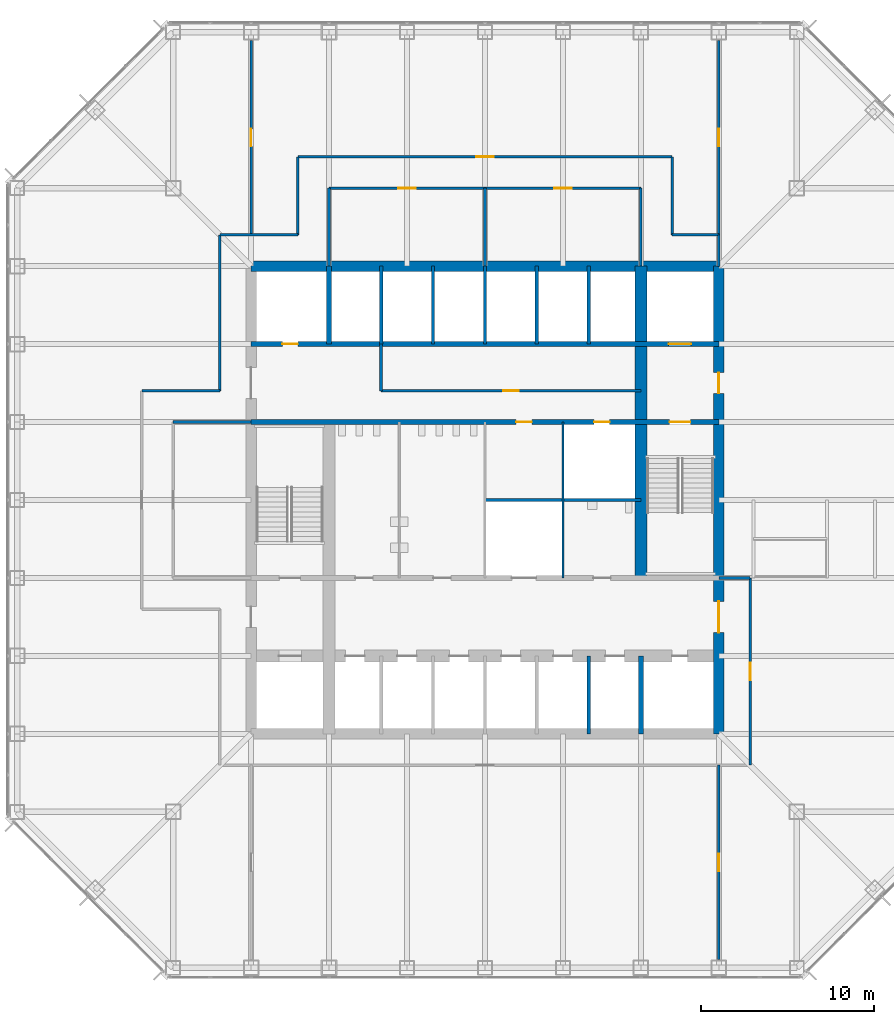
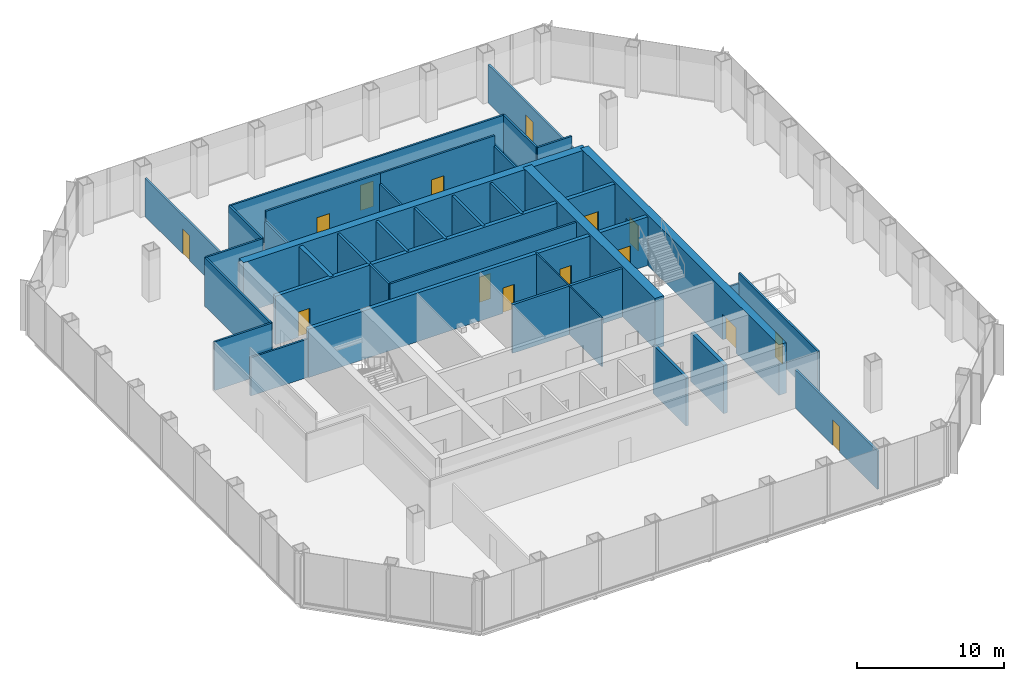
# One storey, part 9 of 12: 36 walls, 15 doors, 15 openings.
"""IFC4 building model written with IfcOpenShell, lengths in metres."""

from ifc_helpers import new_model, si_unit, direction, frame, frame_2d, origin, place, context, subcontext, project, spatial, rectangle, extrude, material, layer, layer_set, type_object, element, fill, save


model = new_model("IFC4")

# Units and contexts
model_context = context("Model", 3, precision=1e-05, world=origin(), true_north=direction((0.0, 1.0)))
body_context = subcontext(model_context, "Body", "Model", "MODEL_VIEW")
ifc_project = project(units=[si_unit("LENGTHUNIT", "METRE"), si_unit("AREAUNIT", "SQUARE_METRE"), si_unit("VOLUMEUNIT", "CUBIC_METRE"), si_unit("PLANEANGLEUNIT", "RADIAN"), si_unit("MASSUNIT", "GRAM", prefix="KILO")], contexts=[model_context])

# Site, building, storey
site_placement = place(None, origin())
site = spatial("IfcSite", under=ifc_project, at=site_placement, CompositionType="ELEMENT")
building_placement = place(site_placement, origin())
building = spatial("IfcBuilding", under=site, at=building_placement, Name="Corais Broadcast Tower", CompositionType="ELEMENT")
storey_placement = place(building_placement, frame((0.0, 0.0, 41.60009765625)))
storey = spatial("IfcBuildingStorey", under=building, at=storey_placement, Name="L08", CompositionType="ELEMENT", Elevation=41.60009765625)

# Walls
ifc_material_1 = material(Name="Concrete blockwork class A, grouted, two-hour", Category="masonry")
ifc_layer_1 = layer(ifc_material_1, 0.300048828125)
ifc_layer_set_1 = layer_set([ifc_layer_1], Name="Concrete blockwork class A, grouted, two-hour")
wall_type_1 = type_object("IfcWallType", Name="Core lobby wall 300", PredefinedType="SOLIDWALL", material=ifc_layer_set_1)
for number, where, z_axis, x_axis, name in (
    (1, (18.0, 36.0, 0.0), (0.0, 0.0, 1.0), (0.0, 1.0, 0.0), "CL1 core shaft wall X18B L08"),
    (2, (36.0, 13.5, 0.0), (0.0, 0.0, 1.0), (0.0, 1.0, 0.0), "CL1 core shaft wall X36A L08"),
):
    element("IfcWall", number, at=place(storey_placement, frame(where, z_axis=z_axis, x_axis=x_axis)), inside=storey, type_object=wall_type_1, Name=name, PredefinedType="SOLIDWALL", context=body_context, shape_type="SweptSolid", body=[
        extrude(rectangle(XDim=4.5, YDim=0.300048828125, at=frame_2d((2.25, 0.0))), origin(), (0.0, 0.0, 1.0), 4.039794921875),
    ])

# Wall, openings, doors
wall_1_placement = place(storey_placement, frame((13.5, 31.5, 0.0), z_axis=(0.0, 0.0, 1.0), x_axis=(1.0, 0.0, 0.0)))
wall_1 = element("IfcWall", 3, at=wall_1_placement, inside=storey, type_object=wall_type_1, Name="CL1 core lobby wall Y315 L08", PredefinedType="SOLIDWALL", context=body_context, shape_type="SweptSolid", body=[
    extrude(rectangle(XDim=27.0, YDim=0.300048828125, at=frame_2d((13.5, 0.0))), origin(), (0.0, 0.0, 1.0), 4.039794921875),
])
opening_1_placement = place(wall_1_placement, frame((24.14990234375, 0.0, 0.0)))
opening_1 = element("IfcOpeningElement", 4, at=opening_1_placement, cuts=wall_1, Name="Opening FD1", PredefinedType="OPENING", context=body_context, shape_type="SweptSolid", body=[
    extrude(rectangle(XDim=1.199951171875, YDim=2.10009765625, at=frame_2d((0.60009765625, 1.050048828125))), frame((0.0, 0.159912109375, 0.0), z_axis=(0.0, -1.0, 0.0), x_axis=(1.0, 0.0, 0.0)), (0.0, 0.0, 1.0), 0.320068359375),
])
opening_2_placement = place(wall_1_placement, frame((15.300048828125, 0.0, 0.0)))
opening_2 = element("IfcOpeningElement", 5, at=opening_2_placement, cuts=wall_1, Name="Opening RD1", PredefinedType="OPENING", context=body_context, shape_type="SweptSolid", body=[
    extrude(rectangle(XDim=0.89990234375, YDim=2.10009765625, at=frame_2d((0.449951171875, 1.050048828125))), frame((0.0, 0.159912109375, 0.0), z_axis=(0.0, -1.0, 0.0), x_axis=(1.0, 0.0, 0.0)), (0.0, 0.0, 1.0), 0.320068359375),
])
opening_3_placement = place(wall_1_placement, frame((19.800048828125, 0.0, 0.0)))
opening_3 = element("IfcOpeningElement", 6, at=opening_3_placement, cuts=wall_1, Name="Opening RD1", PredefinedType="OPENING", context=body_context, shape_type="SweptSolid", body=[
    extrude(rectangle(XDim=0.89990234375, YDim=2.10009765625, at=frame_2d((0.449951171875, 1.050048828125))), frame((0.0, 0.159912109375, 0.0), z_axis=(0.0, -1.0, 0.0), x_axis=(1.0, 0.0, 0.0)), (0.0, 0.0, 1.0), 0.320068359375),
])
ifc_material_2 = material(Name="Steel fire door", Category="steel")
door_type_1 = type_object("IfcDoorType", Name="Fire door 1200x2100", OperationType="SINGLE_SWING_LEFT", PredefinedType="DOOR", material=ifc_material_2)
door_1_placement = place(opening_1_placement, origin())
door_1 = element("IfcDoor", 7, at=door_1_placement, inside=storey, type_object=door_type_1, Name="FD1 stair B door L08", OperationType="SINGLE_SWING_RIGHT", OverallHeight=2.10009765625, OverallWidth=1.199951171875, PredefinedType="DOOR", context=body_context, shape_type="SweptSolid", body=[
    extrude(rectangle(XDim=1.199951171875, YDim=2.10009765625, at=frame_2d((0.60009765625, 1.050048828125))), frame((0.0, 0.02490234375, 0.0), z_axis=(0.0, -1.0, 0.0), x_axis=(1.0, 0.0, 0.0)), (0.0, 0.0, 1.0), 0.050048828125),
])
fill(opening_1, door_1)
ifc_material_3 = material(Name="Steel fire door", Category="steel")
door_type_2 = type_object("IfcDoorType", Name="Riser door 900x2100", OperationType="SINGLE_SWING_LEFT", PredefinedType="DOOR", material=ifc_material_3)
door_2_placement = place(opening_2_placement, origin())
door_2 = element("IfcDoor", 8, at=door_2_placement, inside=storey, type_object=door_type_2, Name="RD1 stationery store door L08", OperationType="SINGLE_SWING_RIGHT", OverallHeight=2.10009765625, OverallWidth=0.89990234375, PredefinedType="DOOR", context=body_context, shape_type="SweptSolid", body=[
    extrude(rectangle(XDim=0.89990234375, YDim=2.10009765625, at=frame_2d((0.449951171875, 1.050048828125))), frame((0.0, 0.02490234375, 0.0), z_axis=(0.0, -1.0, 0.0), x_axis=(1.0, 0.0, 0.0)), (0.0, 0.0, 1.0), 0.050048828125),
])
fill(opening_2, door_2)
door_3_placement = place(opening_3_placement, origin())
door_3 = element("IfcDoor", 9, at=door_3_placement, inside=storey, type_object=door_type_2, Name="RD1 riser door L08", OperationType="SINGLE_SWING_RIGHT", OverallHeight=2.10009765625, OverallWidth=0.89990234375, PredefinedType="DOOR", context=body_context, shape_type="SweptSolid", body=[
    extrude(rectangle(XDim=0.89990234375, YDim=2.10009765625, at=frame_2d((0.449951171875, 1.050048828125))), frame((0.0, 0.02490234375, 0.0), z_axis=(0.0, -1.0, 0.0), x_axis=(1.0, 0.0, 0.0)), (0.0, 0.0, 1.0), 0.050048828125),
])
fill(opening_3, door_3)

# Wall
ifc_material_4 = material(Name="Concrete C50/60", Category="concrete")
ifc_layer_2 = layer(ifc_material_4, 0.699951171875)
ifc_layer_set_2 = layer_set([ifc_layer_2], Name="Concrete C50/60")
wall_type_2 = type_object("IfcWallType", Name="Core spine wall 700", PredefinedType="SHEAR", material=ifc_layer_set_2)
wall_2_placement = place(storey_placement, frame((36.0, 22.5, 0.0), z_axis=(0.0, 0.0, 1.0), x_axis=(0.0, 1.0, 0.0)))
element("IfcWall", 10, at=wall_2_placement, inside=storey, type_object=wall_type_2, Name="CR700 core wall X36B L08", PredefinedType="SHEAR", context=body_context, shape_type="SweptSolid", body=[
    extrude(rectangle(XDim=18.0, YDim=0.699951171875, at=frame_2d((9.0, 0.0))), origin(), (0.0, 0.0, 1.0), 4.199951171875),
])

# Wall, openings, doors
ifc_material_5 = material(Name="Concrete C50/60", Category="concrete")
ifc_layer_3 = layer(ifc_material_5, 0.60009765625)
ifc_layer_set_3 = layer_set([ifc_layer_3], Name="Concrete C50/60")
wall_type_3 = type_object("IfcWallType", Name="Core wall 600", PredefinedType="SHEAR", material=ifc_layer_set_3)
wall_3_placement = place(storey_placement, frame((40.5, 13.5, 0.0), z_axis=(0.0, 0.0, 1.0), x_axis=(0.0, 1.0, 0.0)))
wall_3 = element("IfcWall", 11, at=wall_3_placement, inside=storey, type_object=wall_type_3, Name="CR600 core wall E L08", PredefinedType="SHEAR", context=body_context, shape_type="SweptSolid", body=[
    extrude(rectangle(XDim=27.0, YDim=0.60009765625, at=frame_2d((13.5, 0.0))), origin(), (0.0, 0.0, 1.0), 4.199951171875),
])
opening_4_placement = place(wall_3_placement, frame((5.85009765625, 0.0, 0.0)))
opening_4 = element("IfcOpeningElement", 12, at=opening_4_placement, cuts=wall_3, Name="Opening FD2", PredefinedType="OPENING", context=body_context, shape_type="SweptSolid", body=[
    extrude(rectangle(XDim=1.800048828125, YDim=2.10009765625, at=frame_2d((0.89990234375, 1.050048828125))), frame((0.0, 0.31005859375, 0.0), z_axis=(0.0, -1.0, 0.0), x_axis=(1.0, 0.0, 0.0)), (0.0, 0.0, 1.0), 0.6201171875),
])
opening_5_placement = place(wall_3_placement, frame((19.64990234375, 0.0, 0.0)))
opening_5 = element("IfcOpeningElement", 13, at=opening_5_placement, cuts=wall_3, Name="Opening FD1", PredefinedType="OPENING", context=body_context, shape_type="SweptSolid", body=[
    extrude(rectangle(XDim=1.199951171875, YDim=2.10009765625, at=frame_2d((0.60009765625, 1.050048828125))), frame((0.0, 0.31005859375, 0.0), z_axis=(0.0, -1.0, 0.0), x_axis=(1.0, 0.0, 0.0)), (0.0, 0.0, 1.0), 0.6201171875),
])
door_4_placement = place(opening_5_placement, origin())
door_4 = element("IfcDoor", 14, at=door_4_placement, inside=storey, type_object=door_type_1, Name="FD1 fire lobby B door L08", OperationType="SINGLE_SWING_RIGHT", OverallHeight=2.10009765625, OverallWidth=1.199951171875, PredefinedType="DOOR", context=body_context, shape_type="SweptSolid", body=[
    extrude(rectangle(XDim=1.199951171875, YDim=2.10009765625, at=frame_2d((0.60009765625, 1.050048828125))), frame((0.0, 0.02490234375, 0.0), z_axis=(0.0, -1.0, 0.0), x_axis=(1.0, 0.0, 0.0)), (0.0, 0.0, 1.0), 0.050048828125),
])
fill(opening_5, door_4)
ifc_material_6 = material(Name="Steel fire door", Category="steel")
door_type_3 = type_object("IfcDoorType", Name="Fire door pair 1800x2100", OperationType="DOUBLE_DOOR_SINGLE_SWING", PredefinedType="DOOR", material=ifc_material_6)
door_5_placement = place(opening_4_placement, origin())
door_5 = element("IfcDoor", 15, at=door_5_placement, inside=storey, type_object=door_type_3, Name="FD2 lift lobby door L08", OperationType="SINGLE_SWING_LEFT", OverallHeight=2.10009765625, OverallWidth=1.800048828125, PredefinedType="DOOR", context=body_context, shape_type="SweptSolid", body=[
    extrude(rectangle(XDim=1.800048828125, YDim=2.10009765625, at=frame_2d((0.89990234375, 1.050048828125))), frame((0.0, 0.02490234375, 0.0), z_axis=(0.0, -1.0, 0.0), x_axis=(1.0, 0.0, 0.0)), (0.0, 0.0, 1.0), 0.050048828125),
])
fill(opening_4, door_5)

# Wall
wall_4_placement = place(storey_placement, frame((40.5, 40.5, 0.0), z_axis=(0.0, 0.0, 1.0), x_axis=(-1.0, 0.0, 0.0)))
element("IfcWall", 16, at=wall_4_placement, inside=storey, type_object=wall_type_3, Name="CR600 core wall N L08", PredefinedType="SHEAR", context=body_context, shape_type="SweptSolid", body=[
    extrude(rectangle(XDim=27.0, YDim=0.60009765625, at=frame_2d((13.5, 0.0))), origin(), (0.0, 0.0, 1.0), 4.199951171875),
])

# Wall, openings, doors
ifc_material_7 = material(Name="Concrete blockwork class A, grouted, four-hour", Category="masonry")
ifc_layer_4 = layer(ifc_material_7, 0.300048828125)
ifc_layer_set_4 = layer_set([ifc_layer_4], Name="Concrete blockwork class A, grouted, four-hour")
wall_type_4 = type_object("IfcWallType", Name="Emergency lift shaft wall 300", PredefinedType="SOLIDWALL", material=ifc_layer_set_4)
wall_5_placement = place(storey_placement, frame((13.5, 36.0, 0.0), z_axis=(0.0, 0.0, 1.0), x_axis=(1.0, 0.0, 0.0)))
wall_5 = element("IfcWall", 17, at=wall_5_placement, inside=storey, type_object=wall_type_4, Name="LS1 core lobby wall Y36 L08", PredefinedType="SOLIDWALL", context=body_context, shape_type="SweptSolid", body=[
    extrude(rectangle(XDim=27.0, YDim=0.300048828125, at=frame_2d((13.5, 0.0))), origin(), (0.0, 0.0, 1.0), 4.039794921875),
])
opening_6_placement = place(wall_5_placement, frame((1.800048828125, 0.0, 0.0)))
opening_6 = element("IfcOpeningElement", 18, at=opening_6_placement, cuts=wall_5, Name="Opening RD1", PredefinedType="OPENING", context=body_context, shape_type="SweptSolid", body=[
    extrude(rectangle(XDim=0.89990234375, YDim=2.10009765625, at=frame_2d((0.449951171875, 1.050048828125))), frame((0.0, 0.159912109375, 0.0), z_axis=(0.0, -1.0, 0.0), x_axis=(1.0, 0.0, 0.0)), (0.0, 0.0, 1.0), 0.320068359375),
])
opening_7_placement = place(wall_5_placement, frame((24.10009765625, 0.0, 0.0)))
opening_7 = element("IfcOpeningElement", 19, at=opening_7_placement, cuts=wall_5, Name="Opening LD2", PredefinedType="OPENING", context=body_context, shape_type="SweptSolid", body=[
    extrude(rectangle(XDim=1.300048828125, YDim=2.199951171875, at=frame_2d((0.64990234375, 1.10009765625))), frame((0.0, 0.159912109375, 0.0), z_axis=(0.0, -1.0, 0.0), x_axis=(1.0, 0.0, 0.0)), (0.0, 0.0, 1.0), 0.320068359375),
])
ifc_material_8 = material(Name="Stainless steel lift door", Category="steel")
door_type_4 = type_object("IfcDoorType", Name="Lift landing door 1300x2200", OperationType="SLIDING_TO_LEFT", PredefinedType="DOOR", material=ifc_material_8)
door_6_placement = place(opening_7_placement, origin())
door_6 = element("IfcDoor", 20, at=door_6_placement, inside=storey, type_object=door_type_4, Name="LD2 FL2 landing door L08", OperationType="SLIDING_TO_LEFT", OverallHeight=2.199951171875, OverallWidth=1.300048828125, PredefinedType="DOOR", context=body_context, shape_type="SweptSolid", body=[
    extrude(rectangle(XDim=1.300048828125, YDim=2.199951171875, at=frame_2d((0.64990234375, 1.10009765625))), frame((0.0, 0.02490234375, 0.0), z_axis=(0.0, -1.0, 0.0), x_axis=(1.0, 0.0, 0.0)), (0.0, 0.0, 1.0), 0.050048828125),
])
fill(opening_7, door_6)
door_7_placement = place(opening_6_placement, origin())
door_7 = element("IfcDoor", 21, at=door_7_placement, inside=storey, type_object=door_type_2, Name="RD1 riser door L08", OperationType="SINGLE_SWING_LEFT", OverallHeight=2.10009765625, OverallWidth=0.89990234375, PredefinedType="DOOR", context=body_context, shape_type="SweptSolid", body=[
    extrude(rectangle(XDim=0.89990234375, YDim=2.10009765625, at=frame_2d((0.449951171875, 1.050048828125))), frame((0.0, 0.02490234375, 0.0), z_axis=(0.0, -1.0, 0.0), x_axis=(1.0, 0.0, 0.0)), (0.0, 0.0, 1.0), 0.050048828125),
])
fill(opening_6, door_7)

# Wall, opening, door
ifc_material_9 = material(Name="Two layers of fire-rated gypsum board each side on steel studs", Category="steel")
ifc_layer_5 = layer(ifc_material_9, 0.14990234375)
ifc_layer_set_5 = layer_set([ifc_layer_5], Name="Two layers of fire-rated gypsum board each side on steel studs")
wall_type_5 = type_object("IfcWallType", Name="Fire-rated partition 150 EI 60", PredefinedType="PARTITIONING", material=ifc_layer_set_5)
wall_6_placement = place(storey_placement, frame((21.0, 33.300048828125, 0.0), z_axis=(0.0, 0.0, 1.0), x_axis=(1.0, 0.0, 0.0)))
wall_6 = element("IfcWall", 22, at=wall_6_placement, inside=storey, type_object=wall_type_5, Name="IW7 partition L08", PredefinedType="PARTITIONING", context=body_context, shape_type="SweptSolid", body=[
    extrude(rectangle(XDim=15.0, YDim=0.14990234375, at=frame_2d((7.5, 0.0))), origin(), (0.0, 0.0, 1.0), 4.039794921875),
])
opening_8_placement = place(wall_6_placement, frame((7.050048828125, 0.0, 0.0)))
opening_8 = element("IfcOpeningElement", 23, at=opening_8_placement, cuts=wall_6, Name="Opening RD1", PredefinedType="OPENING", context=body_context, shape_type="SweptSolid", body=[
    extrude(rectangle(XDim=0.89990234375, YDim=2.10009765625, at=frame_2d((0.449951171875, 1.050048828125))), frame((0.0, 0.0849609375, 0.0), z_axis=(0.0, -1.0, 0.0), x_axis=(1.0, 0.0, 0.0)), (0.0, 0.0, 1.0), 0.169921875),
])
door_8_placement = place(opening_8_placement, origin())
door_8 = element("IfcDoor", 24, at=door_8_placement, inside=storey, type_object=door_type_2, Name="RD1 av equipment room door L08", OperationType="SINGLE_SWING_LEFT", OverallHeight=2.10009765625, OverallWidth=0.89990234375, PredefinedType="DOOR", context=body_context, shape_type="SweptSolid", body=[
    extrude(rectangle(XDim=0.89990234375, YDim=2.10009765625, at=frame_2d((0.449951171875, 1.050048828125))), frame((0.0, 0.02490234375, 0.0), z_axis=(0.0, -1.0, 0.0), x_axis=(1.0, 0.0, 0.0)), (0.0, 0.0, 1.0), 0.050048828125),
])
fill(opening_8, door_8)

# Wall
wall_7_placement = place(storey_placement, frame((21.0, 33.300048828125, 0.0), z_axis=(0.0, 0.0, 1.0), x_axis=(0.0, 1.0, 0.0)))
element("IfcWall", 25, at=wall_7_placement, inside=storey, type_object=wall_type_5, Name="IW7 partition L08", PredefinedType="PARTITIONING", context=body_context, shape_type="SweptSolid", body=[
    extrude(rectangle(XDim=2.699951171875, YDim=0.14990234375, at=frame_2d((1.35009765625, 0.0))), origin(), (0.0, 0.0, 1.0), 4.039794921875),
])

# Wall, opening, door
ifc_material_10 = material(Name="Gypsum board on steel studs", Category="steel")
ifc_layer_6 = layer(ifc_material_10, 0.14990234375)
ifc_layer_set_6 = layer_set([ifc_layer_6], Name="Gypsum board on steel studs")
wall_type_6 = type_object("IfcWallType", Name="Partition 150", PredefinedType="PARTITIONING", material=ifc_layer_set_6)
wall_8_placement = place(storey_placement, frame((37.800048828125, 46.800048828125, 0.0), z_axis=(0.0, 0.0, 1.0), x_axis=(-1.0, 0.0, 0.0)))
wall_8 = element("IfcWall", 26, at=wall_8_placement, inside=storey, type_object=wall_type_6, Name="IW3 corridor wall L08", PredefinedType="PARTITIONING", context=body_context, shape_type="SweptSolid", body=[
    extrude(rectangle(XDim=21.60009765625, YDim=0.14990234375, at=frame_2d((10.800048828125, 0.0))), origin(), (0.0, 0.0, 1.0), 4.039794921875),
])
opening_9_placement = place(wall_8_placement, frame((10.300048828125, 0.0, 0.0)))
opening_9 = element("IfcOpeningElement", 27, at=opening_9_placement, cuts=wall_8, Name="Opening D1", PredefinedType="OPENING", context=body_context, shape_type="SweptSolid", body=[
    extrude(rectangle(XDim=1.0, YDim=2.10009765625, at=frame_2d((0.5, 1.050048828125))), frame((0.0, 0.0849609375, 0.0), z_axis=(0.0, -1.0, 0.0), x_axis=(1.0, 0.0, 0.0)), (0.0, 0.0, 1.0), 0.169921875),
])
ifc_material_11 = material(Name="Timber door", Category="wood")
door_type_5 = type_object("IfcDoorType", Name="Single door 1000x2100", OperationType="SINGLE_SWING_LEFT", PredefinedType="DOOR", material=ifc_material_11)
door_9_placement = place(opening_9_placement, origin())
door_9 = element("IfcDoor", 28, at=door_9_placement, inside=storey, type_object=door_type_5, Name="D1 workplace door L08", OperationType="SINGLE_SWING_LEFT", OverallHeight=2.10009765625, OverallWidth=1.0, PredefinedType="DOOR", context=body_context, shape_type="SweptSolid", body=[
    extrude(rectangle(XDim=1.0, YDim=2.10009765625, at=frame_2d((0.5, 1.050048828125))), frame((0.0, 0.02490234375, 0.0), z_axis=(0.0, -1.0, 0.0), x_axis=(1.0, 0.0, 0.0)), (0.0, 0.0, 1.0), 0.050048828125),
])
fill(opening_9, door_9)

wall_9_placement = place(storey_placement, frame((42.300048828125, 11.699951171875, 0.0), z_axis=(0.0, 0.0, 1.0), x_axis=(0.0, 1.0, 0.0)))
wall_9 = element("IfcWall", 29, at=wall_9_placement, inside=storey, type_object=wall_type_6, Name="IW3 corridor wall L08", PredefinedType="PARTITIONING", context=body_context, shape_type="SweptSolid", body=[
    extrude(rectangle(XDim=10.800048828125, YDim=0.14990234375, at=frame_2d((5.39990234375, 0.0))), origin(), (0.0, 0.0, 1.0), 4.039794921875),
])
opening_10_placement = place(wall_9_placement, frame((4.89990234375, 0.0, 0.0)))
opening_10 = element("IfcOpeningElement", 30, at=opening_10_placement, cuts=wall_9, Name="Opening D1", PredefinedType="OPENING", context=body_context, shape_type="SweptSolid", body=[
    extrude(rectangle(XDim=1.0, YDim=2.10009765625, at=frame_2d((0.5, 1.050048828125))), frame((0.0, 0.0849609375, 0.0), z_axis=(0.0, -1.0, 0.0), x_axis=(1.0, 0.0, 0.0)), (0.0, 0.0, 1.0), 0.169921875),
])
door_10_placement = place(opening_10_placement, origin())
door_10 = element("IfcDoor", 31, at=door_10_placement, inside=storey, type_object=door_type_5, Name="D1 workplace door L08", OperationType="SINGLE_SWING_LEFT", OverallHeight=2.10009765625, OverallWidth=1.0, PredefinedType="DOOR", context=body_context, shape_type="SweptSolid", body=[
    extrude(rectangle(XDim=1.0, YDim=2.10009765625, at=frame_2d((0.5, 1.050048828125))), frame((0.0, 0.02490234375, 0.0), z_axis=(0.0, -1.0, 0.0), x_axis=(1.0, 0.0, 0.0)), (0.0, 0.0, 1.0), 0.050048828125),
])
fill(opening_10, door_10)

# Walls
wall_10_placement = place(storey_placement, frame((11.699951171875, 42.300048828125, 0.0), z_axis=(0.0, 0.0, 1.0), x_axis=(0.0, -1.0, 0.0)))
element("IfcWall", 32, at=wall_10_placement, inside=storey, type_object=wall_type_6, Name="IW3 corridor wall L08", PredefinedType="PARTITIONING", context=body_context, shape_type="SweptSolid", body=[
    extrude(rectangle(XDim=9.0, YDim=0.14990234375, at=frame_2d((4.5, 0.0))), origin(), (0.0, 0.0, 1.0), 4.039794921875),
])
for number, where, z_axis, x_axis, name in (
    (33, (11.699951171875, 33.300048828125, 0.0), (0.0, 0.0, 1.0), (-1.0, 0.0, 0.0), "IW3 corridor wall L08"),
    (34, (16.199951171875, 42.300048828125, 0.0), (0.0, 0.0, 1.0), (-1.0, 0.0, 0.0), "IW3 corridor wall L08"),
    (35, (16.199951171875, 46.800048828125, 0.0), (0.0, 0.0, 1.0), (0.0, -1.0, 0.0), "IW3 corridor wall L08"),
    (36, (37.800048828125, 42.300048828125, 0.0), (0.0, 0.0, 1.0), (0.0, 1.0, 0.0), "IW3 corridor wall L08"),
):
    element("IfcWall", number, at=place(storey_placement, frame(where, z_axis=z_axis, x_axis=x_axis)), inside=storey, type_object=wall_type_6, Name=name, PredefinedType="PARTITIONING", context=body_context, shape_type="SweptSolid", body=[
        extrude(rectangle(XDim=4.5, YDim=0.14990234375, at=frame_2d((2.25, 0.0))), origin(), (0.0, 0.0, 1.0), 4.039794921875),
    ])
wall_11_placement = place(storey_placement, frame((40.5, 42.300048828125, 0.0), z_axis=(0.0, 0.0, 1.0), x_axis=(-1.0, 0.0, 0.0)))
element("IfcWall", 37, at=wall_11_placement, inside=storey, type_object=wall_type_6, Name="IW3 corridor wall L08", PredefinedType="PARTITIONING", context=body_context, shape_type="SweptSolid", body=[
    extrude(rectangle(XDim=2.699951171875, YDim=0.14990234375, at=frame_2d((1.35009765625, 0.0))), origin(), (0.0, 0.0, 1.0), 4.039794921875),
])
wall_12_placement = place(storey_placement, frame((40.5, 40.489990234375, 0.0), z_axis=(0.0, 0.0, 1.0), x_axis=(0.0, 1.0, 0.0)))
element("IfcWall", 38, at=wall_12_placement, inside=storey, type_object=wall_type_6, Name="IW3 corridor wall L08", PredefinedType="PARTITIONING", context=body_context, shape_type="SweptSolid", body=[
    extrude(rectangle(XDim=1.81005859375, YDim=0.14990234375, at=frame_2d((0.905029296875, 0.0))), origin(), (0.0, 0.0, 1.0), 3.18896484375),
])
wall_13_placement = place(storey_placement, frame((42.300048828125, 22.5, 0.0), z_axis=(0.0, 0.0, 1.0), x_axis=(-1.0, 0.0, 0.0)))
element("IfcWall", 39, at=wall_13_placement, inside=storey, type_object=wall_type_6, Name="IW3 corridor wall L08", PredefinedType="PARTITIONING", context=body_context, shape_type="SweptSolid", body=[
    extrude(rectangle(XDim=1.800048828125, YDim=0.14990234375, at=frame_2d((0.89990234375, 0.0))), origin(), (0.0, 0.0, 1.0), 3.18896484375),
])
wall_14_placement = place(storey_placement, frame((27.0, 40.5, 0.0), z_axis=(0.0, 0.0, 1.0), x_axis=(0.0, 1.0, 0.0)))
element("IfcWall", 40, at=wall_14_placement, inside=storey, type_object=wall_type_6, Name="IW3 partition L08", PredefinedType="PARTITIONING", context=body_context, shape_type="SweptSolid", body=[
    extrude(rectangle(XDim=4.5, YDim=0.14990234375, at=frame_2d((2.25, 0.0))), origin(), (0.0, 0.0, 1.0), 3.18896484375),
])

# Wall, opening, door
wall_15_placement = place(storey_placement, frame((27.0, 45.0, 0.0), z_axis=(0.0, 0.0, 1.0), x_axis=(-1.0, 0.0, 0.0)))
wall_15 = element("IfcWall", 41, at=wall_15_placement, inside=storey, type_object=wall_type_6, Name="IW3 partition L08", PredefinedType="PARTITIONING", context=body_context, shape_type="SweptSolid", body=[
    extrude(rectangle(XDim=9.0, YDim=0.14990234375, at=frame_2d((4.5, 0.0))), origin(), (0.0, 0.0, 1.0), 4.039794921875),
])
opening_11_placement = place(wall_15_placement, frame((4.0, 0.0, 0.0)))
opening_11 = element("IfcOpeningElement", 42, at=opening_11_placement, cuts=wall_15, Name="Opening D1", PredefinedType="OPENING", context=body_context, shape_type="SweptSolid", body=[
    extrude(rectangle(XDim=1.0, YDim=2.10009765625, at=frame_2d((0.5, 1.050048828125))), frame((0.0, 0.0849609375, 0.0), z_axis=(0.0, -1.0, 0.0), x_axis=(1.0, 0.0, 0.0)), (0.0, 0.0, 1.0), 0.169921875),
])
door_11_placement = place(opening_11_placement, origin())
door_11 = element("IfcDoor", 43, at=door_11_placement, inside=storey, type_object=door_type_5, Name="D1 Editorial meeting room door", OperationType="SINGLE_SWING_LEFT", OverallHeight=2.10009765625, OverallWidth=1.0, PredefinedType="DOOR", context=body_context, shape_type="SweptSolid", body=[
    extrude(rectangle(XDim=1.0, YDim=2.10009765625, at=frame_2d((0.5, 1.050048828125))), frame((0.0, 0.02490234375, 0.0), z_axis=(0.0, -1.0, 0.0), x_axis=(1.0, 0.0, 0.0)), (0.0, 0.0, 1.0), 0.050048828125),
])
fill(opening_11, door_11)

# Walls
for number, where, z_axis, x_axis, name in (
    (44, (18.0, 45.0, 0.0), (0.0, 0.0, 1.0), (0.0, -1.0, 0.0), "IW3 partition L08"),
    (45, (36.0, 40.5, 0.0), (0.0, 0.0, 1.0), (0.0, 1.0, 0.0), "IW3 partition L08"),
):
    element("IfcWall", number, at=place(storey_placement, frame(where, z_axis=z_axis, x_axis=x_axis)), inside=storey, type_object=wall_type_6, Name=name, PredefinedType="PARTITIONING", context=body_context, shape_type="SweptSolid", body=[
        extrude(rectangle(XDim=4.5, YDim=0.14990234375, at=frame_2d((2.25, 0.0))), origin(), (0.0, 0.0, 1.0), 3.18896484375),
    ])

# Wall, opening, door
wall_16_placement = place(storey_placement, frame((36.0, 45.0, 0.0), z_axis=(0.0, 0.0, 1.0), x_axis=(-1.0, 0.0, 0.0)))
wall_16 = element("IfcWall", 46, at=wall_16_placement, inside=storey, type_object=wall_type_6, Name="IW3 partition L08", PredefinedType="PARTITIONING", context=body_context, shape_type="SweptSolid", body=[
    extrude(rectangle(XDim=9.0, YDim=0.14990234375, at=frame_2d((4.5, 0.0))), origin(), (0.0, 0.0, 1.0), 4.039794921875),
])
opening_12_placement = place(wall_16_placement, frame((4.0, 0.0, 0.0)))
opening_12 = element("IfcOpeningElement", 47, at=opening_12_placement, cuts=wall_16, Name="Opening D1", PredefinedType="OPENING", context=body_context, shape_type="SweptSolid", body=[
    extrude(rectangle(XDim=1.0, YDim=2.10009765625, at=frame_2d((0.5, 1.050048828125))), frame((0.0, 0.0849609375, 0.0), z_axis=(0.0, -1.0, 0.0), x_axis=(1.0, 0.0, 0.0)), (0.0, 0.0, 1.0), 0.169921875),
])
door_12_placement = place(opening_12_placement, origin())
door_12 = element("IfcDoor", 48, at=door_12_placement, inside=storey, type_object=door_type_5, Name="D1 Edit suite door", OperationType="SINGLE_SWING_LEFT", OverallHeight=2.10009765625, OverallWidth=1.0, PredefinedType="DOOR", context=body_context, shape_type="SweptSolid", body=[
    extrude(rectangle(XDim=1.0, YDim=2.10009765625, at=frame_2d((0.5, 1.050048828125))), frame((0.0, 0.02490234375, 0.0), z_axis=(0.0, -1.0, 0.0), x_axis=(1.0, 0.0, 0.0)), (0.0, 0.0, 1.0), 0.050048828125),
])
fill(opening_12, door_12)

# Wall
wall_17_placement = place(storey_placement, frame((13.5, 31.5, 0.0), z_axis=(0.0, 0.0, 1.0), x_axis=(-1.0, 0.0, 0.0)))
element("IfcWall", 49, at=wall_17_placement, inside=storey, type_object=wall_type_6, Name="IW3 partition L08", PredefinedType="PARTITIONING", context=body_context, shape_type="SweptSolid", body=[
    extrude(rectangle(XDim=4.5, YDim=0.14990234375, at=frame_2d((2.25, 0.0))), origin(), (0.0, 0.0, 1.0), 3.18896484375),
])

# Wall, opening, door
wall_18_placement = place(storey_placement, frame((40.5, 53.530029296875, 0.0), z_axis=(0.0, 0.0, 1.0), x_axis=(0.0, -1.0, 0.0)))
wall_18 = element("IfcWall", 50, at=wall_18_placement, inside=storey, type_object=wall_type_6, Name="IW3 partition L08", PredefinedType="PARTITIONING", context=body_context, shape_type="SweptSolid", body=[
    extrude(rectangle(XDim=11.22998046875, YDim=0.14990234375, at=frame_2d((5.614990234375, 0.0))), origin(), (0.0, 0.0, 1.0), 3.18896484375),
])
opening_13_placement = place(wall_18_placement, frame((5.114990234375, 0.0, 0.0)))
opening_13 = element("IfcOpeningElement", 51, at=opening_13_placement, cuts=wall_18, Name="Opening D1", PredefinedType="OPENING", context=body_context, shape_type="SweptSolid", body=[
    extrude(rectangle(XDim=1.0, YDim=2.10009765625, at=frame_2d((0.5, 1.050048828125))), frame((0.0, 0.0849609375, 0.0), z_axis=(0.0, -1.0, 0.0), x_axis=(1.0, 0.0, 0.0)), (0.0, 0.0, 1.0), 0.169921875),
])
door_13_placement = place(opening_13_placement, origin())
door_13 = element("IfcDoor", 52, at=door_13_placement, inside=storey, type_object=door_type_5, Name="D1 team room door L08", OperationType="SINGLE_SWING_LEFT", OverallHeight=2.10009765625, OverallWidth=1.0, PredefinedType="DOOR", context=body_context, shape_type="SweptSolid", body=[
    extrude(rectangle(XDim=1.0, YDim=2.10009765625, at=frame_2d((0.5, 1.050048828125))), frame((0.0, 0.02490234375, 0.0), z_axis=(0.0, -1.0, 0.0), x_axis=(1.0, 0.0, 0.0)), (0.0, 0.0, 1.0), 0.050048828125),
])
fill(opening_13, door_13)

wall_19_placement = place(storey_placement, frame((13.5, 42.300048828125, 0.0), z_axis=(0.0, 0.0, 1.0), x_axis=(0.0, 1.0, 0.0)))
wall_19 = element("IfcWall", 53, at=wall_19_placement, inside=storey, type_object=wall_type_6, Name="IW3 partition L08", PredefinedType="PARTITIONING", context=body_context, shape_type="SweptSolid", body=[
    extrude(rectangle(XDim=11.22998046875, YDim=0.14990234375, at=frame_2d((5.614990234375, 0.0))), origin(), (0.0, 0.0, 1.0), 3.18896484375),
])
opening_14_placement = place(wall_19_placement, frame((5.114990234375, 0.0, 0.0)))
opening_14 = element("IfcOpeningElement", 54, at=opening_14_placement, cuts=wall_19, Name="Opening D1", PredefinedType="OPENING", context=body_context, shape_type="SweptSolid", body=[
    extrude(rectangle(XDim=1.0, YDim=2.10009765625, at=frame_2d((0.5, 1.050048828125))), frame((0.0, 0.0849609375, 0.0), z_axis=(0.0, -1.0, 0.0), x_axis=(1.0, 0.0, 0.0)), (0.0, 0.0, 1.0), 0.169921875),
])
door_14_placement = place(opening_14_placement, origin())
door_14 = element("IfcDoor", 55, at=door_14_placement, inside=storey, type_object=door_type_5, Name="D1 team room door L08", OperationType="SINGLE_SWING_LEFT", OverallHeight=2.10009765625, OverallWidth=1.0, PredefinedType="DOOR", context=body_context, shape_type="SweptSolid", body=[
    extrude(rectangle(XDim=1.0, YDim=2.10009765625, at=frame_2d((0.5, 1.050048828125))), frame((0.0, 0.02490234375, 0.0), z_axis=(0.0, -1.0, 0.0), x_axis=(1.0, 0.0, 0.0)), (0.0, 0.0, 1.0), 0.050048828125),
])
fill(opening_14, door_14)

wall_20_placement = place(storey_placement, frame((40.5, 0.469970703125, 0.0), z_axis=(0.0, 0.0, 1.0), x_axis=(0.0, 1.0, 0.0)))
wall_20 = element("IfcWall", 56, at=wall_20_placement, inside=storey, type_object=wall_type_6, Name="IW3 partition L08", PredefinedType="PARTITIONING", context=body_context, shape_type="SweptSolid", body=[
    extrude(rectangle(XDim=11.22998046875, YDim=0.14990234375, at=frame_2d((5.614990234375, 0.0))), origin(), (0.0, 0.0, 1.0), 3.18896484375),
])
opening_15_placement = place(wall_20_placement, frame((5.114990234375, 0.0, 0.0)))
opening_15 = element("IfcOpeningElement", 57, at=opening_15_placement, cuts=wall_20, Name="Opening D1", PredefinedType="OPENING", context=body_context, shape_type="SweptSolid", body=[
    extrude(rectangle(XDim=1.0, YDim=2.10009765625, at=frame_2d((0.5, 1.050048828125))), frame((0.0, 0.0849609375, 0.0), z_axis=(0.0, -1.0, 0.0), x_axis=(1.0, 0.0, 0.0)), (0.0, 0.0, 1.0), 0.169921875),
])
door_15_placement = place(opening_15_placement, origin())
door_15 = element("IfcDoor", 58, at=door_15_placement, inside=storey, type_object=door_type_5, Name="D1 team room door L08", OperationType="SINGLE_SWING_LEFT", OverallHeight=2.10009765625, OverallWidth=1.0, PredefinedType="DOOR", context=body_context, shape_type="SweptSolid", body=[
    extrude(rectangle(XDim=1.0, YDim=2.10009765625, at=frame_2d((0.5, 1.050048828125))), frame((0.0, 0.02490234375, 0.0), z_axis=(0.0, -1.0, 0.0), x_axis=(1.0, 0.0, 0.0)), (0.0, 0.0, 1.0), 0.050048828125),
])
fill(opening_15, door_15)

# Walls
ifc_material_12 = material(Name="Concrete blockwork class A, grouted, two-hour", Category="masonry")
ifc_layer_7 = layer(ifc_material_12, 0.199951171875)
ifc_layer_set_7 = layer_set([ifc_layer_7], Name="Concrete blockwork class A, grouted, two-hour")
wall_type_7 = type_object("IfcWallType", Name="Shaft wall 200", PredefinedType="PARTITIONING", material=ifc_layer_set_7)
for number, where, z_axis, x_axis, name in (
    (59, (21.0, 36.0, 0.0), (0.0, 0.0, 1.0), (0.0, 1.0, 0.0), "IW1 shaft wall L08"),
    (60, (24.0, 36.0, 0.0), (0.0, 0.0, 1.0), (0.0, 1.0, 0.0), "IW1 shaft wall L08"),
    (61, (27.0, 36.0, 0.0), (0.0, 0.0, 1.0), (0.0, 1.0, 0.0), "IW1 shaft wall L08"),
    (62, (30.0, 36.0, 0.0), (0.0, 0.0, 1.0), (0.0, 1.0, 0.0), "IW1 shaft wall L08"),
    (63, (33.0, 13.5, 0.0), (0.0, 0.0, 1.0), (0.0, 1.0, 0.0), "IW1 shaft wall L08"),
    (64, (33.0, 36.0, 0.0), (0.0, 0.0, 1.0), (0.0, 1.0, 0.0), "IW1 shaft wall L08"),
):
    element("IfcWall", number, at=place(storey_placement, frame(where, z_axis=z_axis, x_axis=x_axis)), inside=storey, type_object=wall_type_7, Name=name, PredefinedType="PARTITIONING", context=body_context, shape_type="SweptSolid", body=[
        extrude(rectangle(XDim=4.5, YDim=0.199951171875, at=frame_2d((2.25, 0.0))), origin(), (0.0, 0.0, 1.0), 4.039794921875),
    ])
wall_21_placement = place(storey_placement, frame((27.0, 27.0, 0.0), z_axis=(0.0, 0.0, 1.0), x_axis=(1.0, 0.0, 0.0)))
element("IfcWall", 65, at=wall_21_placement, inside=storey, type_object=wall_type_7, Name="IW1 shaft wall L08", PredefinedType="PARTITIONING", context=body_context, shape_type="SweptSolid", body=[
    extrude(rectangle(XDim=9.0, YDim=0.199951171875, at=frame_2d((4.5, 0.0))), origin(), (0.0, 0.0, 1.0), 4.039794921875),
])
ifc_material_13 = material(Name="Dense concrete blockwork class A, tiled both faces", Category="masonry")
ifc_layer_8 = layer(ifc_material_13, 0.10009765625)
ifc_layer_set_8 = layer_set([ifc_layer_8], Name="Dense concrete blockwork class A, tiled both faces")
wall_type_8 = type_object("IfcWallType", Name="Toilet wall 100", PredefinedType="PLUMBINGWALL", material=ifc_layer_set_8)
wall_22_placement = place(storey_placement, frame((31.5, 22.5, 0.0), z_axis=(0.0, 0.0, 1.0), x_axis=(0.0, 1.0, 0.0)))
element("IfcWall", 66, at=wall_22_placement, inside=storey, type_object=wall_type_8, Name="IW2 toilet wall L08", PredefinedType="PLUMBINGWALL", context=body_context, shape_type="SweptSolid", body=[
    extrude(rectangle(XDim=9.0, YDim=0.10009765625, at=frame_2d((4.5, 0.0))), origin(), (0.0, 0.0, 1.0), 4.039794921875),
])

save(model, "model.ifc")
